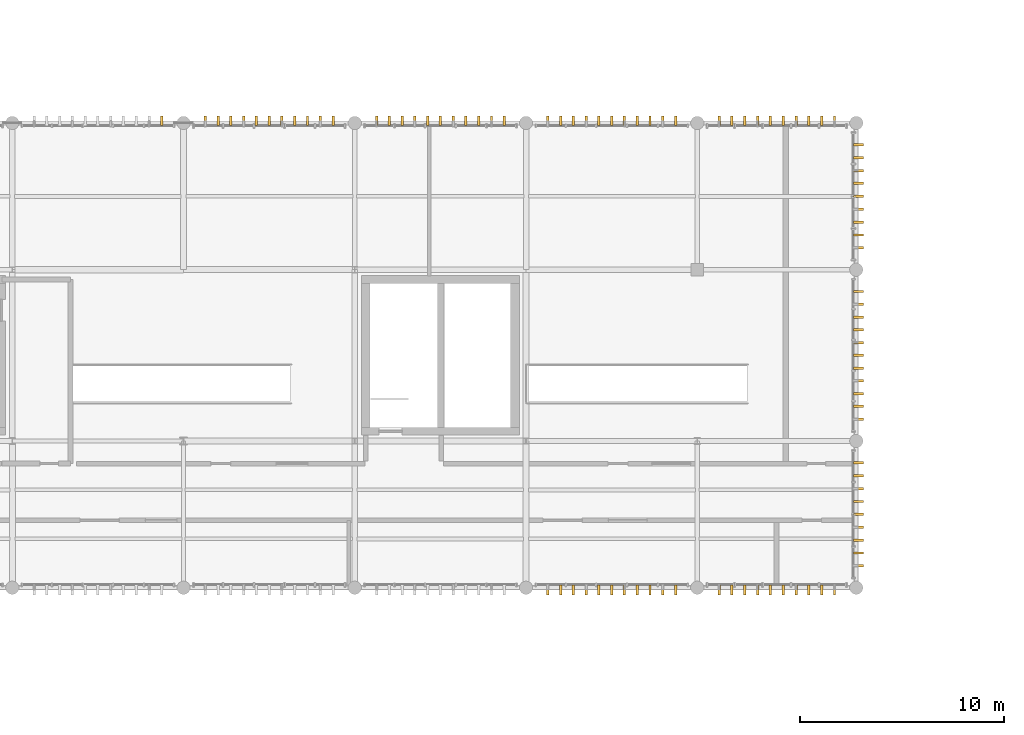
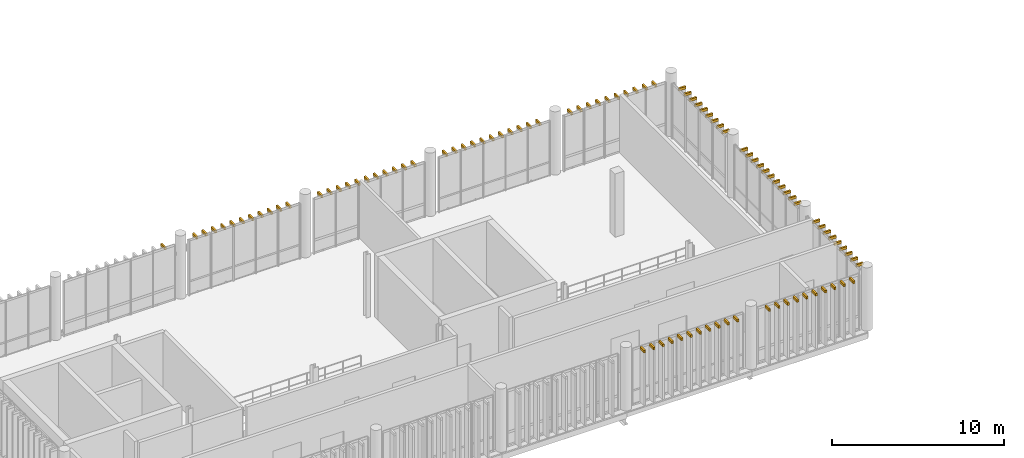
# One storey, part 66 of 66: 94 shading devices.
"""IFC4 building model written with IfcOpenShell, lengths in metres."""

import ifcopenshell
import ifcopenshell.guid

model = None  # the IFC model being written
_history = None  # IfcOwnerHistory: only IFC2X3 demands one
_inside = {}  # id of a spatial element -> (the spatial element, [elements in it])
_under = {}  # id of a project, library or spatial element -> (it, [spatial elements below it])
_declared = {}  # id of a project -> (the project, [libraries it declares])
_typed = {}  # id of a type object -> (the type object, [elements of that type])
_made_of = {}  # id of a material, layer set ... -> (it, [elements and type objects made of it])


def new_model(schema):
    """Start an empty IFC model of exactly this schema.

    Asked for "IFC4X3", IfcOpenShell would pick the latest addendum, in which some entities
    have other attributes; the version numbers below select the first issue.
    IFC2X3 requires an IfcOwnerHistory on every rooted entity: one is made here for all.
    """
    global model, _history
    if schema == "IFC4X3":
        model = ifcopenshell.file(schema_version=(4, 3, 0, 0))
    else:
        model = ifcopenshell.file(schema=schema)
    _inside.clear()
    _under.clear()
    _declared.clear()
    _typed.clear()
    _made_of.clear()
    _history = None
    if model.schema == "IFC2X3":
        org = make("IfcOrganization", Name="unknown")
        user = make(
            "IfcPersonAndOrganization",
            ThePerson=make("IfcPerson", FamilyName="unknown"),
            TheOrganization=org,
        )
        app = make(
            "IfcApplication",
            ApplicationDeveloper=org,
            Version="unknown",
            ApplicationFullName="unknown",
            ApplicationIdentifier="unknown",
        )
        _history = make(
            "IfcOwnerHistory",
            OwningUser=user,
            OwningApplication=app,
            ChangeAction="ADDED",
            CreationDate=0,
        )
    return model


def make(cls, **values):
    """One entity of the class cls with the attributes given. An attribute that is None is left unset."""
    return model.create_entity(
        cls, **{name: value for name, value in values.items() if value is not None}
    )


def rooted(cls, **values):
    """An entity with a GlobalId (a new one), such as an element, a storey or a relation."""
    return make(cls, GlobalId=ifcopenshell.guid.new(), OwnerHistory=_history, **values)


def si_unit(unit_type, name, prefix=None):
    """IfcSIUnit, for example si_unit("LENGTHUNIT", "METRE", prefix="MILLI")."""
    return make("IfcSIUnit", UnitType=unit_type, Prefix=prefix, Name=name)


def assignment(units):
    """IfcUnitAssignment: the units of a project."""
    return None if units is None else make("IfcUnitAssignment", Units=units)


def point(xyz):
    """IfcCartesianPoint."""
    return None if xyz is None else make("IfcCartesianPoint", Coordinates=xyz)


def direction(xyz):
    """IfcDirection."""
    return None if xyz is None else make("IfcDirection", DirectionRatios=xyz)


def frame(location, z_axis=None, x_axis=None):
    """IfcAxis2Placement3D, a coordinate frame: its origin and axes. An axis left out is left unset."""
    return make(
        "IfcAxis2Placement3D",
        Location=point(location),
        Axis=direction(z_axis),
        RefDirection=direction(x_axis),
    )


def frame_2d(location, x_axis=None):
    """IfcAxis2Placement2D, a coordinate frame in the plane: its origin and x axis."""
    return make(
        "IfcAxis2Placement2D", Location=point(location), RefDirection=direction(x_axis)
    )


def origin_with_axes():
    """The frame at (0, 0, 0) with the z axis (0, 0, 1) and the x axis (1, 0, 0) written out."""
    return frame((0.0, 0.0, 0.0), z_axis=(0.0, 0.0, 1.0), x_axis=(1.0, 0.0, 0.0))


def origin_2d_with_axis():
    """The frame at (0, 0) in the plane with the x axis (1, 0) written out."""
    return frame_2d((0.0, 0.0), x_axis=(1.0, 0.0))


def place(relative_to, where):
    """IfcLocalPlacement: puts the frame where relative to a parent placement (None: the world)."""
    return make(
        "IfcLocalPlacement", PlacementRelTo=relative_to, RelativePlacement=where
    )


def context(
    kind, dimensions, precision=None, world=None, true_north=None, identifier=None
):
    """IfcGeometricRepresentationContext, for example the 3D "Model" context."""
    return make(
        "IfcGeometricRepresentationContext",
        ContextIdentifier=identifier,
        ContextType=kind,
        CoordinateSpaceDimension=dimensions,
        Precision=precision,
        WorldCoordinateSystem=world,
        TrueNorth=true_north,
    )


def subcontext(parent, identifier, kind, view, scale=None):
    """IfcGeometricRepresentationSubContext, for example "Body" below "Model"."""
    return make(
        "IfcGeometricRepresentationSubContext",
        ContextIdentifier=identifier,
        ContextType=kind,
        ParentContext=parent,
        TargetScale=scale,
        TargetView=view,
    )


def project(units=None, contexts=None):
    """IfcProject with its units and contexts."""
    return rooted(
        "IfcProject",
        Name="project",
        RepresentationContexts=contexts,
        UnitsInContext=assignment(units),
    )


def spatial(cls, under=None, at=None, **own):
    """A site, building, storey or space (cls), placed at a placement, below another one or the project."""
    s = rooted(cls, ObjectPlacement=at, **own)
    if under is not None:
        _under.setdefault(under.id(), (under, []))[1].append(s)
    return s


def profile(cls, at=None, kind="AREA", **sizes):
    """A parametric profile (cls). Its sizes go by their IFC names, for example OverallWidth=200.0."""
    return make(cls, ProfileType=kind, Position=at, **sizes)


def rectangle(**sizes):
    """IfcRectangleProfileDef."""
    return profile("IfcRectangleProfileDef", **sizes)


def extrude(swept, where, along, depth):
    """IfcExtrudedAreaSolid: the profile swept, set in the frame where, extruded along a direction by depth."""
    return make(
        "IfcExtrudedAreaSolid",
        SweptArea=swept,
        Position=where,
        ExtrudedDirection=direction(along),
        Depth=depth,
    )


def shape(context_of_items, identifier, shape_type, items):
    """IfcShapeRepresentation: the items that make up one representation, for example the "Body"."""
    return make(
        "IfcShapeRepresentation",
        ContextOfItems=context_of_items,
        RepresentationIdentifier=identifier,
        RepresentationType=shape_type,
        Items=items,
    )


def material(Name=None, Category=None):
    """IfcMaterial."""
    return make("IfcMaterial", Name=Name, Category=Category)


def made_of(thing, what):
    """Note that an element or type object is made of a material, layer set ...; save() writes the relation."""
    if what is not None:
        _made_of.setdefault(what.id(), (what, []))[1].append(thing)
    return thing


def type_object(cls, material=None, **own):
    """A type object (cls), such as IfcWallType, which elements share."""
    return made_of(rooted(cls, **own), material)


def element(
    cls,
    number,
    at=None,
    inside=None,
    cuts=None,
    type_object=None,
    material=None,
    context=None,
    identifier="Body",
    shape_type=None,
    held_by="IfcProductDefinitionShape",
    body=None,
    shapes=None,
    **own,
):
    """One element of the class cls, such as IfcWall. Its Tag is "e" and its number.

    at: its placement. inside: the storey or other place that contains it. cuts: it is an
    opening in that element (IfcRelVoidsElement). A single representation is given by context,
    identifier, shape_type and body (its items); several are given by shapes. held_by: the class
    of the entity that holds the representations. save() writes the other relations.
    """
    e = rooted(cls, Tag="e%d" % number, ObjectPlacement=at, **own)
    if body is not None:
        shapes = [shape(context, identifier, shape_type, body)]
    if shapes is not None:
        e.Representation = make(held_by, Representations=shapes)
    if inside is not None:
        _inside.setdefault(inside.id(), (inside, []))[1].append(e)
    if cuts is not None:
        rooted(
            "IfcRelVoidsElement", RelatingBuildingElement=cuts, RelatedOpeningElement=e
        )
    if type_object is not None:
        _typed.setdefault(type_object.id(), (type_object, []))[1].append(e)
    return made_of(e, material)


def aggregate(whole, parts):
    """IfcRelAggregates: a whole, such as a stair, and the parts it consists of."""
    return rooted("IfcRelAggregates", RelatingObject=whole, RelatedObjects=parts)


def save(model, path):
    """Write the relations noted so far, then the file.

    IfcRelAggregates (storeys below a building ...), IfcRelContainedInSpatialStructure (elements
    in a storey), IfcRelDefinesByType, IfcRelAssociatesMaterial and IfcRelDeclares: one each for
    every whole, place, type object, material and project.
    """
    for whole, parts in _under.values():
        aggregate(whole, parts)
    for where, things in _inside.values():
        rooted(
            "IfcRelContainedInSpatialStructure",
            RelatedElements=things,
            RelatingStructure=where,
        )
    for kind, things in _typed.values():
        rooted("IfcRelDefinesByType", RelatedObjects=things, RelatingType=kind)
    for what, things in _made_of.values():
        rooted("IfcRelAssociatesMaterial", RelatedObjects=things, RelatingMaterial=what)
    for by, libraries in _declared.values():
        rooted("IfcRelDeclares", RelatingContext=by, RelatedDefinitions=libraries)
    model.write(path)


model = new_model("IFC4")

# Units and contexts
model_context = context("Model", 3, precision=1e-05, world=origin_with_axes(), true_north=direction((0.0, 1.0)))
body_context = subcontext(model_context, "Body", "Model", "MODEL_VIEW")
ifc_project = project(units=[si_unit("LENGTHUNIT", "METRE"), si_unit("AREAUNIT", "SQUARE_METRE"), si_unit("VOLUMEUNIT", "CUBIC_METRE"), si_unit("PLANEANGLEUNIT", "RADIAN"), si_unit("MASSUNIT", "GRAM", prefix="KILO"), si_unit("THERMODYNAMICTEMPERATUREUNIT", "KELVIN")], contexts=[model_context])

# Site, building, storey
site_placement = place(None, origin_with_axes())
site = spatial("IfcSite", under=ifc_project, at=site_placement, CompositionType="ELEMENT")
building_placement = place(site_placement, origin_with_axes())
building = spatial("IfcBuilding", under=site, at=building_placement, Name="Montbau Bow Law Courts", CompositionType="ELEMENT")
storey_placement = place(building_placement, frame((0.0, 0.0, 34.5), z_axis=(0.0, 0.0, 1.0), x_axis=(1.0, 0.0, 0.0)))
storey = spatial("IfcBuildingStorey", under=building, at=storey_placement, Name="L07", CompositionType="ELEMENT", Elevation=34.5)

# Shading devices
ifc_material = material(Name="Freeze-Thaw Glazed Cream Ceramic Vertical Louvre", Category="masonry")
shading_device_type = type_object("IfcShadingDeviceType", Name="SH-LVR-CRM", PredefinedType="USERDEFINED", material=ifc_material)
for number, where, z_axis, x_axis, name in (
    (1, (89.867, 38.89, 38.24), (0.0, 0.0, 1.0), (0.0, -1.0, 0.0), "LVR-L07-2135:shd_2135"),
    (2, (90.493, 38.89, 38.24), (0.0, 0.0, 1.0), (0.0, -1.0, 0.0), "LVR-L07-2136:shd_2136"),
    (3, (91.12, 38.89, 38.24), (0.0, 0.0, 1.0), (0.0, -1.0, 0.0), "LVR-L07-2137:shd_2137"),
    (4, (91.747, 38.89, 38.24), (0.0, 0.0, 1.0), (0.0, -1.0, 0.0), "LVR-L07-2138:shd_2138"),
    (5, (92.373, 38.89, 38.24), (0.0, 0.0, 1.0), (0.0, -1.0, 0.0), "LVR-L07-2139:shd_2139"),
    (6, (93.0, 38.89, 38.24), (0.0, 0.0, 1.0), (0.0, -1.0, 0.0), "LVR-L07-2140:shd_2140"),
    (7, (93.627, 38.89, 38.24), (0.0, 0.0, 1.0), (0.0, -1.0, 0.0), "LVR-L07-2141:shd_2141"),
    (8, (94.253, 38.89, 38.24), (0.0, 0.0, 1.0), (0.0, -1.0, 0.0), "LVR-L07-2142:shd_2142"),
    (9, (94.88, 38.89, 38.24), (0.0, 0.0, 1.0), (0.0, -1.0, 0.0), "LVR-L07-2143:shd_2143"),
    (10, (95.507, 38.89, 38.24), (0.0, 0.0, 1.0), (0.0, -1.0, 0.0), "LVR-L07-2144:shd_2144"),
    (11, (96.133, 38.89, 38.24), (0.0, 0.0, 1.0), (0.0, -1.0, 0.0), "LVR-L07-2145:shd_2145"),
    (12, (98.269, 38.89, 38.24), (0.0, 0.0, 1.0), (0.0, -1.0, 0.0), "LVR-L07-2146:shd_2146"),
    (13, (98.898, 38.89, 38.24), (0.0, 0.0, 1.0), (0.0, -1.0, 0.0), "LVR-L07-2147:shd_2147"),
    (14, (99.527, 38.89, 38.24), (0.0, 0.0, 1.0), (0.0, -1.0, 0.0), "LVR-L07-2148:shd_2148"),
    (15, (100.156, 38.89, 38.24), (0.0, 0.0, 1.0), (0.0, -1.0, 0.0), "LVR-L07-2149:shd_2149"),
    (16, (100.785, 38.89, 38.24), (0.0, 0.0, 1.0), (0.0, -1.0, 0.0), "LVR-L07-2150:shd_2150"),
    (17, (101.415, 38.89, 38.24), (0.0, 0.0, 1.0), (0.0, -1.0, 0.0), "LVR-L07-2151:shd_2151"),
    (18, (102.044, 38.89, 38.24), (0.0, 0.0, 1.0), (0.0, -1.0, 0.0), "LVR-L07-2152:shd_2152"),
    (19, (102.673, 38.89, 38.24), (0.0, 0.0, 1.0), (0.0, -1.0, 0.0), "LVR-L07-2153:shd_2153"),
    (20, (103.302, 38.89, 38.24), (0.0, 0.0, 1.0), (0.0, -1.0, 0.0), "LVR-L07-2154:shd_2154"),
    (21, (103.931, 38.89, 38.24), (0.0, 0.0, 1.0), (0.0, -1.0, 0.0), "LVR-L07-2155:shd_2155"),
    (22, (70.933, 61.91, 38.24), (0.0, 0.0, 1.0), (0.0, 1.0, 0.0), "LVR-L07-2177:shd_2177"),
    (23, (73.067, 61.91, 38.24), (0.0, 0.0, 1.0), (0.0, 1.0, 0.0), "LVR-L07-2178:shd_2178"),
    (24, (73.693, 61.91, 38.24), (0.0, 0.0, 1.0), (0.0, 1.0, 0.0), "LVR-L07-2179:shd_2179"),
    (25, (74.32, 61.91, 38.24), (0.0, 0.0, 1.0), (0.0, 1.0, 0.0), "LVR-L07-2180:shd_2180"),
    (26, (74.947, 61.91, 38.24), (0.0, 0.0, 1.0), (0.0, 1.0, 0.0), "LVR-L07-2181:shd_2181"),
    (27, (75.573, 61.91, 38.24), (0.0, 0.0, 1.0), (0.0, 1.0, 0.0), "LVR-L07-2182:shd_2182"),
    (28, (76.2, 61.91, 38.24), (0.0, 0.0, 1.0), (0.0, 1.0, 0.0), "LVR-L07-2183:shd_2183"),
    (29, (76.827, 61.91, 38.24), (0.0, 0.0, 1.0), (0.0, 1.0, 0.0), "LVR-L07-2184:shd_2184"),
    (30, (77.453, 61.91, 38.24), (0.0, 0.0, 1.0), (0.0, 1.0, 0.0), "LVR-L07-2185:shd_2185"),
    (31, (78.08, 61.91, 38.24), (0.0, 0.0, 1.0), (0.0, 1.0, 0.0), "LVR-L07-2186:shd_2186"),
    (32, (78.707, 61.91, 38.24), (0.0, 0.0, 1.0), (0.0, 1.0, 0.0), "LVR-L07-2187:shd_2187"),
    (33, (79.333, 61.91, 38.24), (0.0, 0.0, 1.0), (0.0, 1.0, 0.0), "LVR-L07-2188:shd_2188"),
    (34, (81.467, 61.91, 38.24), (0.0, 0.0, 1.0), (0.0, 1.0, 0.0), "LVR-L07-2189:shd_2189"),
    (35, (82.093, 61.91, 38.24), (0.0, 0.0, 1.0), (0.0, 1.0, 0.0), "LVR-L07-2190:shd_2190"),
    (36, (82.72, 61.91, 38.24), (0.0, 0.0, 1.0), (0.0, 1.0, 0.0), "LVR-L07-2191:shd_2191"),
    (37, (83.347, 61.91, 38.24), (0.0, 0.0, 1.0), (0.0, 1.0, 0.0), "LVR-L07-2192:shd_2192"),
    (38, (83.973, 61.91, 38.24), (0.0, 0.0, 1.0), (0.0, 1.0, 0.0), "LVR-L07-2193:shd_2193"),
    (39, (84.6, 61.91, 38.24), (0.0, 0.0, 1.0), (0.0, 1.0, 0.0), "LVR-L07-2194:shd_2194"),
    (40, (85.227, 61.91, 38.24), (0.0, 0.0, 1.0), (0.0, 1.0, 0.0), "LVR-L07-2195:shd_2195"),
    (41, (85.853, 61.91, 38.24), (0.0, 0.0, 1.0), (0.0, 1.0, 0.0), "LVR-L07-2196:shd_2196"),
    (42, (86.48, 61.91, 38.24), (0.0, 0.0, 1.0), (0.0, 1.0, 0.0), "LVR-L07-2197:shd_2197"),
    (43, (87.107, 61.91, 38.24), (0.0, 0.0, 1.0), (0.0, 1.0, 0.0), "LVR-L07-2198:shd_2198"),
    (44, (87.733, 61.91, 38.24), (0.0, 0.0, 1.0), (0.0, 1.0, 0.0), "LVR-L07-2199:shd_2199"),
    (45, (89.867, 61.91, 38.24), (0.0, 0.0, 1.0), (0.0, 1.0, 0.0), "LVR-L07-2200:shd_2200"),
    (46, (90.493, 61.91, 38.24), (0.0, 0.0, 1.0), (0.0, 1.0, 0.0), "LVR-L07-2201:shd_2201"),
    (47, (91.12, 61.91, 38.24), (0.0, 0.0, 1.0), (0.0, 1.0, 0.0), "LVR-L07-2202:shd_2202"),
    (48, (91.747, 61.91, 38.24), (0.0, 0.0, 1.0), (0.0, 1.0, 0.0), "LVR-L07-2203:shd_2203"),
    (49, (92.373, 61.91, 38.24), (0.0, 0.0, 1.0), (0.0, 1.0, 0.0), "LVR-L07-2204:shd_2204"),
    (50, (93.0, 61.91, 38.24), (0.0, 0.0, 1.0), (0.0, 1.0, 0.0), "LVR-L07-2205:shd_2205"),
    (51, (93.627, 61.91, 38.24), (0.0, 0.0, 1.0), (0.0, 1.0, 0.0), "LVR-L07-2206:shd_2206"),
    (52, (94.253, 61.91, 38.24), (0.0, 0.0, 1.0), (0.0, 1.0, 0.0), "LVR-L07-2207:shd_2207"),
    (53, (94.88, 61.91, 38.24), (0.0, 0.0, 1.0), (0.0, 1.0, 0.0), "LVR-L07-2208:shd_2208"),
    (54, (95.507, 61.91, 38.24), (0.0, 0.0, 1.0), (0.0, 1.0, 0.0), "LVR-L07-2209:shd_2209"),
    (55, (96.133, 61.91, 38.24), (0.0, 0.0, 1.0), (0.0, 1.0, 0.0), "LVR-L07-2210:shd_2210"),
    (56, (98.269, 61.91, 38.24), (0.0, 0.0, 1.0), (0.0, 1.0, 0.0), "LVR-L07-2211:shd_2211"),
    (57, (98.898, 61.91, 38.24), (0.0, 0.0, 1.0), (0.0, 1.0, 0.0), "LVR-L07-2212:shd_2212"),
    (58, (99.527, 61.91, 38.24), (0.0, 0.0, 1.0), (0.0, 1.0, 0.0), "LVR-L07-2213:shd_2213"),
    (59, (100.156, 61.91, 38.24), (0.0, 0.0, 1.0), (0.0, 1.0, 0.0), "LVR-L07-2214:shd_2214"),
    (60, (100.785, 61.91, 38.24), (0.0, 0.0, 1.0), (0.0, 1.0, 0.0), "LVR-L07-2215:shd_2215"),
    (61, (101.415, 61.91, 38.24), (0.0, 0.0, 1.0), (0.0, 1.0, 0.0), "LVR-L07-2216:shd_2216"),
    (62, (102.044, 61.91, 38.24), (0.0, 0.0, 1.0), (0.0, 1.0, 0.0), "LVR-L07-2217:shd_2217"),
    (63, (102.673, 61.91, 38.24), (0.0, 0.0, 1.0), (0.0, 1.0, 0.0), "LVR-L07-2218:shd_2218"),
    (64, (103.302, 61.91, 38.24), (0.0, 0.0, 1.0), (0.0, 1.0, 0.0), "LVR-L07-2219:shd_2219"),
    (65, (103.931, 61.91, 38.24), (0.0, 0.0, 1.0), (0.0, 1.0, 0.0), "LVR-L07-2220:shd_2220"),
    (66, (105.11, 40.072, 38.24), (0.0, 0.0, 1.0), (1.0, 0.0, 0.0), "LVR-L07-2250:shd_2250"),
    (67, (105.11, 40.704, 38.24), (0.0, 0.0, 1.0), (1.0, 0.0, 0.0), "LVR-L07-2251:shd_2251"),
    (68, (105.11, 41.336, 38.24), (0.0, 0.0, 1.0), (1.0, 0.0, 0.0), "LVR-L07-2252:shd_2252"),
    (69, (105.11, 41.968, 38.24), (0.0, 0.0, 1.0), (1.0, 0.0, 0.0), "LVR-L07-2253:shd_2253"),
    (70, (105.11, 42.6, 38.24), (0.0, 0.0, 1.0), (1.0, 0.0, 0.0), "LVR-L07-2254:shd_2254"),
    (71, (105.11, 43.232, 38.24), (0.0, 0.0, 1.0), (1.0, 0.0, 0.0), "LVR-L07-2255:shd_2255"),
    (72, (105.11, 43.864, 38.24), (0.0, 0.0, 1.0), (1.0, 0.0, 0.0), "LVR-L07-2256:shd_2256"),
    (73, (105.11, 44.496, 38.24), (0.0, 0.0, 1.0), (1.0, 0.0, 0.0), "LVR-L07-2257:shd_2257"),
    (74, (105.11, 45.128, 38.24), (0.0, 0.0, 1.0), (1.0, 0.0, 0.0), "LVR-L07-2258:shd_2258"),
    (75, (105.11, 47.267, 38.24), (0.0, 0.0, 1.0), (1.0, 0.0, 0.0), "LVR-L07-2259:shd_2259"),
    (76, (105.11, 47.893, 38.24), (0.0, 0.0, 1.0), (1.0, 0.0, 0.0), "LVR-L07-2260:shd_2260"),
    (77, (105.11, 48.52, 38.24), (0.0, 0.0, 1.0), (1.0, 0.0, 0.0), "LVR-L07-2261:shd_2261"),
    (78, (105.11, 49.147, 38.24), (0.0, 0.0, 1.0), (1.0, 0.0, 0.0), "LVR-L07-2262:shd_2262"),
    (79, (105.11, 49.773, 38.24), (0.0, 0.0, 1.0), (1.0, 0.0, 0.0), "LVR-L07-2263:shd_2263"),
    (80, (105.11, 50.4, 38.24), (0.0, 0.0, 1.0), (1.0, 0.0, 0.0), "LVR-L07-2264:shd_2264"),
    (81, (105.11, 51.027, 38.24), (0.0, 0.0, 1.0), (1.0, 0.0, 0.0), "LVR-L07-2265:shd_2265"),
    (82, (105.11, 51.653, 38.24), (0.0, 0.0, 1.0), (1.0, 0.0, 0.0), "LVR-L07-2266:shd_2266"),
    (83, (105.11, 52.28, 38.24), (0.0, 0.0, 1.0), (1.0, 0.0, 0.0), "LVR-L07-2267:shd_2267"),
    (84, (105.11, 52.907, 38.24), (0.0, 0.0, 1.0), (1.0, 0.0, 0.0), "LVR-L07-2268:shd_2268"),
    (85, (105.11, 53.533, 38.24), (0.0, 0.0, 1.0), (1.0, 0.0, 0.0), "LVR-L07-2269:shd_2269"),
    (86, (105.11, 55.672, 38.24), (0.0, 0.0, 1.0), (1.0, 0.0, 0.0), "LVR-L07-2270:shd_2270"),
    (87, (105.11, 56.304, 38.24), (0.0, 0.0, 1.0), (1.0, 0.0, 0.0), "LVR-L07-2271:shd_2271"),
    (88, (105.11, 56.936, 38.24), (0.0, 0.0, 1.0), (1.0, 0.0, 0.0), "LVR-L07-2272:shd_2272"),
    (89, (105.11, 57.568, 38.24), (0.0, 0.0, 1.0), (1.0, 0.0, 0.0), "LVR-L07-2273:shd_2273"),
    (90, (105.11, 58.2, 38.24), (0.0, 0.0, 1.0), (1.0, 0.0, 0.0), "LVR-L07-2274:shd_2274"),
    (91, (105.11, 58.832, 38.24), (0.0, 0.0, 1.0), (1.0, 0.0, 0.0), "LVR-L07-2275:shd_2275"),
    (92, (105.11, 59.464, 38.24), (0.0, 0.0, 1.0), (1.0, 0.0, 0.0), "LVR-L07-2276:shd_2276"),
    (93, (105.11, 60.096, 38.24), (0.0, 0.0, 1.0), (1.0, 0.0, 0.0), "LVR-L07-2277:shd_2277"),
    (94, (105.11, 60.728, 38.24), (0.0, 0.0, 1.0), (1.0, 0.0, 0.0), "LVR-L07-2278:shd_2278"),
):
    element("IfcShadingDevice", number, at=place(None, frame(where, z_axis=z_axis, x_axis=x_axis)), inside=storey, type_object=shading_device_type, Name=name, ObjectType="LOUVRE", PredefinedType="USERDEFINED", context=body_context, shape_type="SweptSolid", body=[
        extrude(rectangle(XDim=0.48, YDim=0.12, at=origin_2d_with_axis()), origin_with_axes(), (0.0, 0.0, 1.0), 0.18),
    ])

save(model, "model.ifc")
